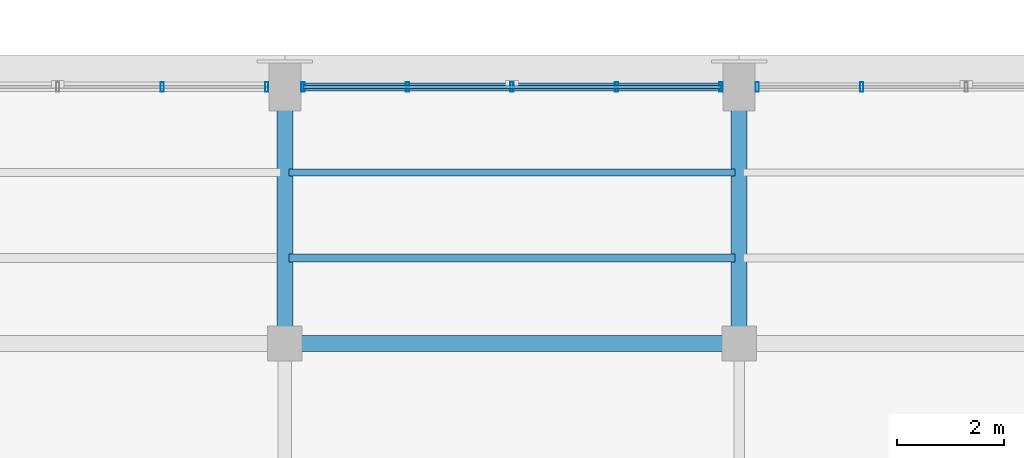
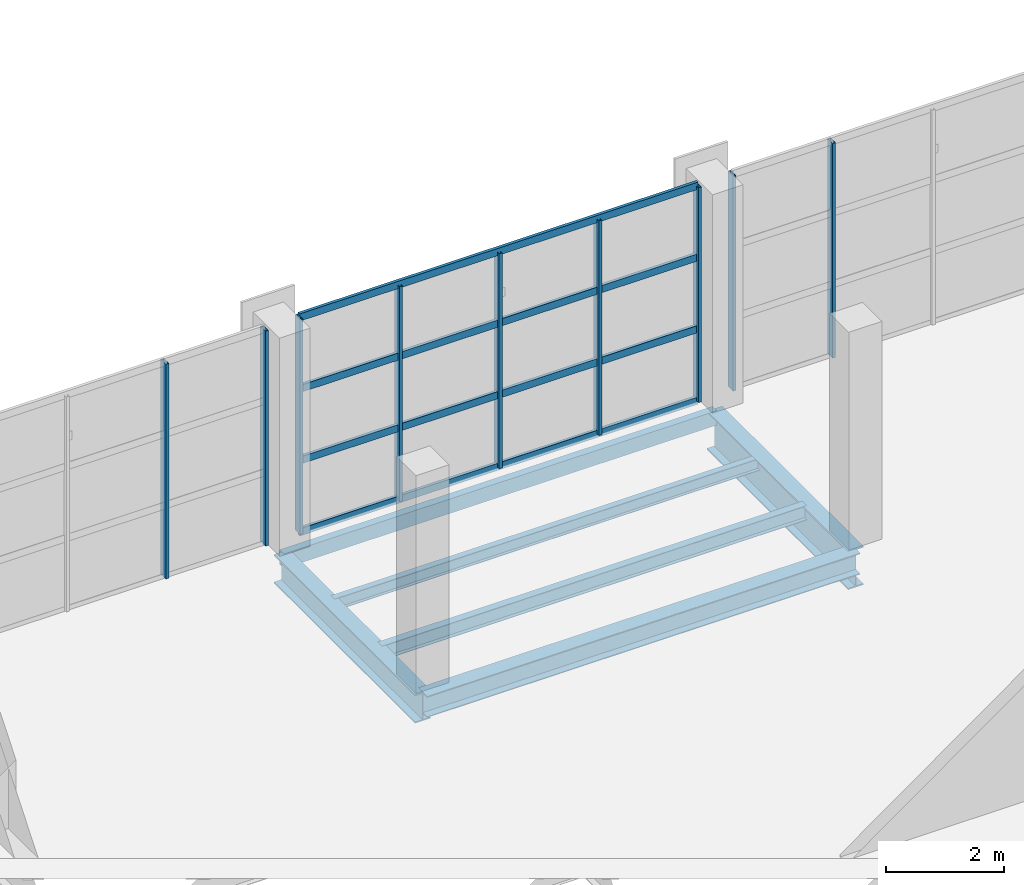
# One storey, part 28 of 86: 13 members, 6 beams, 3 elements without a shape of their own.
"""IFC4 building model written with IfcOpenShell, lengths in metres."""

from ifc_helpers import new_model, si_unit, direction, frame, origin, origin_2d, place, context, subcontext, project, spatial, hollow_rectangle, i_section, extrude, material, material_profile, profile_set, type_object, element, aggregate, save


model = new_model("IFC4")

# Units and contexts
model_context = context("Model", 3, precision=1e-05, world=origin(), true_north=direction((0.0, 1.0)))
body_context = subcontext(model_context, "Body", "Model", "MODEL_VIEW")
ifc_project = project(units=[si_unit("LENGTHUNIT", "METRE"), si_unit("AREAUNIT", "SQUARE_METRE"), si_unit("VOLUMEUNIT", "CUBIC_METRE"), si_unit("PLANEANGLEUNIT", "RADIAN"), si_unit("MASSUNIT", "GRAM", prefix="KILO")], contexts=[model_context])

# Site, building, storey
site_placement = place(None, origin())
site = spatial("IfcSite", under=ifc_project, at=site_placement, CompositionType="ELEMENT")
building_placement = place(site_placement, origin())
building = spatial("IfcBuilding", under=site, at=building_placement, Name="Solvikara Media Centre", CompositionType="ELEMENT")
storey_placement = place(building_placement, frame((0.0, 0.0, 15.0)))
storey = spatial("IfcBuildingStorey", under=building, at=storey_placement, Name="L03", CompositionType="ELEMENT", Elevation=15.0)

# Beams
ifc_material_1 = material(Name="Steel S355JR", Category="steel")
ifc_material_profile_1 = material_profile(ifc_material_1, i_section(OverallWidth=0.300048828125, OverallDepth=0.800048828125, WebThickness=0.013916015625, FlangeThickness=0.02587890625, at=origin_2d()), Name="WF 800x300x14x26")
ifc_profile_set_1 = profile_set([ifc_material_profile_1], Name="Steel S355JR")
beam_type_1 = type_object("IfcBeamType", Name="BM-16", PredefinedType="BEAM", material=ifc_profile_set_1)
beam_1_placement = place(storey_placement, frame((59.5, 32.0, -0.681884765625), z_axis=(0.0, 1.0, 0.0), x_axis=(-1.0, 0.0, 0.0)))
element("IfcBeam", 1, at=beam_1_placement, inside=storey, type_object=beam_type_1, Name="B-L03-Y1275", PredefinedType="BEAM", context=body_context, shape_type="SweptSolid", body=[
    extrude(i_section(OverallWidth=0.300048828125, OverallDepth=0.800048828125, WebThickness=0.013916015625, FlangeThickness=0.02587890625, at=origin_2d()), origin(), (0.0, 0.0, 1.0), 4.800048828125),
])
ifc_material_profile_2 = material_profile(ifc_material_1, i_section(OverallWidth=0.14990234375, OverallDepth=0.300048828125, WebThickness=0.006591796875, FlangeThickness=0.009033203125, at=origin_2d()), Name="WF 300x150x6.5x9")
ifc_profile_set_2 = profile_set([ifc_material_profile_2], Name="Steel S355JR")
beam_type_2 = type_object("IfcBeamType", Name="BM-23", PredefinedType="JOIST", material=ifc_profile_set_2)
beam_2_placement = place(storey_placement, frame((51.077880859375, 33.60009765625, -0.431884765625), z_axis=(1.0, 0.0, 0.0), x_axis=(0.0, 1.0, 0.0)))
element("IfcBeam", 2, at=beam_2_placement, inside=storey, type_object=beam_type_2, Name="J-L03-1395", PredefinedType="JOIST", context=body_context, shape_type="SweptSolid", body=[
    extrude(i_section(OverallWidth=0.14990234375, OverallDepth=0.300048828125, WebThickness=0.006591796875, FlangeThickness=0.009033203125, at=origin_2d()), origin(), (0.0, 0.0, 1.0), 8.34423828125),
])
ifc_material_profile_3 = material_profile(ifc_material_1, i_section(OverallWidth=0.125, OverallDepth=0.25, WebThickness=0.006103515625, FlangeThickness=0.009033203125, at=origin_2d()), Name="WF 250x125x6x9")
ifc_profile_set_3 = profile_set([ifc_material_profile_3], Name="Steel S355JR")
beam_type_3 = type_object("IfcBeamType", Name="BM-24", PredefinedType="JOIST", material=ifc_profile_set_3)
beam_3_placement = place(storey_placement, frame((51.077880859375, 35.199951171875, -0.406982421875), z_axis=(1.0, 0.0, 0.0), x_axis=(0.0, 1.0, 0.0)))
element("IfcBeam", 3, at=beam_3_placement, inside=storey, type_object=beam_type_3, Name="J-L03-1396", PredefinedType="JOIST", context=body_context, shape_type="SweptSolid", body=[
    extrude(i_section(OverallWidth=0.125, OverallDepth=0.25, WebThickness=0.006103515625, FlangeThickness=0.009033203125, at=origin_2d()), origin(), (0.0, 0.0, 1.0), 8.34423828125),
])
ifc_material_profile_4 = material_profile(ifc_material_1, i_section(OverallWidth=0.300048828125, OverallDepth=0.43994140625, WebThickness=0.010986328125, FlangeThickness=0.01806640625, at=origin_2d()), Name="H 440x300x11x18")
ifc_profile_set_4 = profile_set([ifc_material_profile_4], Name="Steel S355JR")
beam_type_4 = type_object("IfcBeamType", Name="BM-28", PredefinedType="BEAM", material=ifc_profile_set_4)
beam_4_placement = place(storey_placement, frame((51.0, 32.0, -0.501953125), z_axis=(1.0, 0.0, 0.0), x_axis=(0.0, 1.0, 0.0)))
element("IfcBeam", 4, at=beam_4_placement, inside=storey, type_object=beam_type_4, Name="B-L03-X1184", PredefinedType="BEAM", context=body_context, shape_type="SweptSolid", body=[
    extrude(i_section(OverallWidth=0.300048828125, OverallDepth=0.43994140625, WebThickness=0.010986328125, FlangeThickness=0.01806640625, at=origin_2d()), origin(), (0.0, 0.0, 1.0), 8.5),
])
ifc_material_profile_5 = material_profile(ifc_material_1, hollow_rectangle(XDim=0.14990234375, YDim=0.300048828125, WallThickness=0.010009765625, at=origin_2d()), Name="RHS 300x150x10")
ifc_profile_set_5 = profile_set([ifc_material_profile_5], Name="Steel S355JR")
beam_type_5 = type_object("IfcBeamType", Name="BM-35", PredefinedType="BEAM", material=ifc_profile_set_5)
beam_5_placement = place(storey_placement, frame((51.0, 36.800048828125, -0.431884765625), z_axis=(1.0, 0.0, 0.0), x_axis=(0.0, 1.0, 0.0)))
element("IfcBeam", 5, at=beam_5_placement, inside=storey, type_object=beam_type_5, Name="B-L03-X1187", PredefinedType="BEAM", context=body_context, shape_type="SweptSolid", body=[
    extrude(hollow_rectangle(XDim=0.14990234375, YDim=0.300048828125, WallThickness=0.010009765625, at=origin_2d()), origin(), (0.0, 0.0, 1.0), 8.5),
])
ifc_material_profile_6 = material_profile(ifc_material_1, i_section(OverallWidth=0.302001953125, OverallDepth=0.593994140625, WebThickness=0.013916015625, FlangeThickness=0.02294921875, at=origin_2d()), Name="H 594x302x14x23")
ifc_profile_set_6 = profile_set([ifc_material_profile_6], Name="Steel S355JR")
beam_type_6 = type_object("IfcBeamType", Name="BM-41", PredefinedType="BEAM", material=ifc_profile_set_6)
beam_6_placement = place(storey_placement, frame((51.0, 32.0, -0.5791015625), z_axis=(0.0, 1.0, 0.0), x_axis=(-1.0, 0.0, 0.0)))
element("IfcBeam", 6, at=beam_6_placement, inside=storey, type_object=beam_type_6, Name="B-L03-Y1271", PredefinedType="BEAM", context=body_context, shape_type="SweptSolid", body=[
    extrude(i_section(OverallWidth=0.302001953125, OverallDepth=0.593994140625, WebThickness=0.013916015625, FlangeThickness=0.02294921875, at=origin_2d()), origin(), (0.0, 0.0, 1.0), 4.800048828125),
])

# Curtain wall, members
ifc_material_2 = material(Name="Anodised aluminium EN AW-6063", Category="aluminium")
curtain_wall_type = type_object("IfcCurtainWallType", Name="CW-05", PredefinedType="NOTDEFINED", material=ifc_material_2)
curtain_wall_1_placement = place(storey_placement, origin())
curtain_wall_1 = element("IfcCurtainWall", 7, at=curtain_wall_1_placement, inside=storey, type_object=curtain_wall_type, Name="CW-L03-V6N-1", PredefinedType="NOTDEFINED")
ifc_material_profile_7 = material_profile(ifc_material_2, hollow_rectangle(XDim=0.06005859375, YDim=0.179931640625, WallThickness=0.00341796875, at=origin_2d()), Name="ALU-M 60x180x3.5")
ifc_profile_set_7 = profile_set([ifc_material_profile_7], Name="Anodised aluminium EN AW-6063")
member_type_1 = type_object("IfcMemberType", Name="MF-03", PredefinedType="MULLION", material=ifc_profile_set_7)
member_1_placement = place(storey_placement, frame((48.705078125, 36.800048828125, 0.02001953125), z_axis=(0.0, 0.0, 1.0), x_axis=(1.0, 0.0, 0.0)))
member_1 = element("IfcMember", 8, at=member_1_placement, type_object=member_type_1, Name="CW-L03-V6N-1-M03", PredefinedType="MULLION", context=body_context, shape_type="SweptSolid", body=[
    extrude(hollow_rectangle(XDim=0.06005859375, YDim=0.179931640625, WallThickness=0.00341796875, at=origin_2d()), origin(), (0.0, 0.0, 1.0), 4.4599609375),
])
member_2_placement = place(storey_placement, frame((50.659912109375, 36.800048828125, 0.02001953125), z_axis=(0.0, 0.0, 1.0), x_axis=(1.0, 0.0, 0.0)))
member_2 = element("IfcMember", 9, at=member_2_placement, type_object=member_type_1, Name="CW-L03-V6N-1-M04", PredefinedType="MULLION", context=body_context, shape_type="SweptSolid", body=[
    extrude(hollow_rectangle(XDim=0.06005859375, YDim=0.179931640625, WallThickness=0.00341796875, at=origin_2d()), origin(), (0.0, 0.0, 1.0), 4.4599609375),
])
aggregate(curtain_wall_1, [member_1, member_2])

curtain_wall_2_placement = place(storey_placement, origin())
curtain_wall_2 = element("IfcCurtainWall", 10, at=curtain_wall_2_placement, inside=storey, type_object=curtain_wall_type, Name="CW-L03-V6N-2", PredefinedType="NOTDEFINED")
member_3_placement = place(storey_placement, frame((51.340087890625, 36.800048828125, 0.02001953125), z_axis=(0.0, 0.0, 1.0), x_axis=(1.0, 0.0, 0.0)))
member_3 = element("IfcMember", 11, at=member_3_placement, type_object=member_type_1, Name="CW-L03-V6N-2-M00", PredefinedType="MULLION", context=body_context, shape_type="SweptSolid", body=[
    extrude(hollow_rectangle(XDim=0.06005859375, YDim=0.179931640625, WallThickness=0.00341796875, at=origin_2d()), origin(), (0.0, 0.0, 1.0), 4.4599609375),
])
member_4_placement = place(storey_placement, frame((53.294921875, 36.800048828125, 0.02001953125), z_axis=(0.0, 0.0, 1.0), x_axis=(1.0, 0.0, 0.0)))
member_4 = element("IfcMember", 12, at=member_4_placement, type_object=member_type_1, Name="CW-L03-V6N-2-M01", PredefinedType="MULLION", context=body_context, shape_type="SweptSolid", body=[
    extrude(hollow_rectangle(XDim=0.06005859375, YDim=0.179931640625, WallThickness=0.00341796875, at=origin_2d()), origin(), (0.0, 0.0, 1.0), 4.4599609375),
])
member_5_placement = place(storey_placement, frame((55.25, 36.800048828125, 0.02001953125), z_axis=(0.0, 0.0, 1.0), x_axis=(1.0, 0.0, 0.0)))
member_5 = element("IfcMember", 13, at=member_5_placement, type_object=member_type_1, Name="CW-L03-V6N-2-M02", PredefinedType="MULLION", context=body_context, shape_type="SweptSolid", body=[
    extrude(hollow_rectangle(XDim=0.06005859375, YDim=0.179931640625, WallThickness=0.00341796875, at=origin_2d()), origin(), (0.0, 0.0, 1.0), 4.4599609375),
])
member_6_placement = place(storey_placement, frame((57.205078125, 36.800048828125, 0.02001953125), z_axis=(0.0, 0.0, 1.0), x_axis=(1.0, 0.0, 0.0)))
member_6 = element("IfcMember", 14, at=member_6_placement, type_object=member_type_1, Name="CW-L03-V6N-2-M03", PredefinedType="MULLION", context=body_context, shape_type="SweptSolid", body=[
    extrude(hollow_rectangle(XDim=0.06005859375, YDim=0.179931640625, WallThickness=0.00341796875, at=origin_2d()), origin(), (0.0, 0.0, 1.0), 4.4599609375),
])
member_7_placement = place(storey_placement, frame((59.159912109375, 36.800048828125, 0.02001953125), z_axis=(0.0, 0.0, 1.0), x_axis=(1.0, 0.0, 0.0)))
member_7 = element("IfcMember", 15, at=member_7_placement, type_object=member_type_1, Name="CW-L03-V6N-2-M04", PredefinedType="MULLION", context=body_context, shape_type="SweptSolid", body=[
    extrude(hollow_rectangle(XDim=0.06005859375, YDim=0.179931640625, WallThickness=0.00341796875, at=origin_2d()), origin(), (0.0, 0.0, 1.0), 4.4599609375),
])

curtain_wall_3_placement = place(storey_placement, origin())
curtain_wall_3 = element("IfcCurtainWall", 16, at=curtain_wall_3_placement, inside=storey, type_object=curtain_wall_type, Name="CW-L03-V6N-3", PredefinedType="NOTDEFINED")
member_8_placement = place(storey_placement, frame((59.840087890625, 36.800048828125, 0.02001953125), z_axis=(0.0, 0.0, 1.0), x_axis=(1.0, 0.0, 0.0)))
member_8 = element("IfcMember", 17, at=member_8_placement, type_object=member_type_1, Name="CW-L03-V6N-3-M00", PredefinedType="MULLION", context=body_context, shape_type="SweptSolid", body=[
    extrude(hollow_rectangle(XDim=0.06005859375, YDim=0.179931640625, WallThickness=0.00341796875, at=origin_2d()), origin(), (0.0, 0.0, 1.0), 4.4599609375),
])
member_9_placement = place(storey_placement, frame((61.794921875, 36.800048828125, 0.02001953125), z_axis=(0.0, 0.0, 1.0), x_axis=(1.0, 0.0, 0.0)))
member_9 = element("IfcMember", 18, at=member_9_placement, type_object=member_type_1, Name="CW-L03-V6N-3-M01", PredefinedType="MULLION", context=body_context, shape_type="SweptSolid", body=[
    extrude(hollow_rectangle(XDim=0.06005859375, YDim=0.179931640625, WallThickness=0.00341796875, at=origin_2d()), origin(), (0.0, 0.0, 1.0), 4.4599609375),
])
aggregate(curtain_wall_3, [member_8, member_9])

# Member
ifc_material_profile_8 = material_profile(ifc_material_2, hollow_rectangle(XDim=0.06005859375, YDim=0.14990234375, WallThickness=0.0029296875, at=origin_2d()), Name="ALU-T 60x150x3")
ifc_profile_set_8 = profile_set([ifc_material_profile_8], Name="Anodised aluminium EN AW-6063")
member_type_2 = type_object("IfcMemberType", Name="MF-09", PredefinedType="USERDEFINED", material=ifc_profile_set_8)
member_10_placement = place(storey_placement, frame((51.340087890625, 36.800048828125, 0.02001953125), z_axis=(1.0, 0.0, 0.0), x_axis=(0.0, 1.0, 0.0)))
member_10 = element("IfcMember", 19, at=member_10_placement, type_object=member_type_2, Name="CW-L03-V6N-2-T00", ObjectType="TRANSOM", PredefinedType="USERDEFINED", context=body_context, shape_type="SweptSolid", body=[
    extrude(hollow_rectangle(XDim=0.06005859375, YDim=0.14990234375, WallThickness=0.0029296875, at=origin_2d()), origin(), (0.0, 0.0, 1.0), 7.81982421875),
])

member_11_placement = place(storey_placement, frame((51.340087890625, 36.800048828125, 1.507080078125), z_axis=(1.0, 0.0, 0.0), x_axis=(0.0, 1.0, 0.0)))
member_11 = element("IfcMember", 20, at=member_11_placement, type_object=member_type_2, Name="CW-L03-V6N-2-T01", ObjectType="TRANSOM", PredefinedType="USERDEFINED", context=body_context, shape_type="SweptSolid", body=[
    extrude(hollow_rectangle(XDim=0.06005859375, YDim=0.14990234375, WallThickness=0.0029296875, at=origin_2d()), origin(), (0.0, 0.0, 1.0), 7.81982421875),
])

member_12_placement = place(storey_placement, frame((51.340087890625, 36.800048828125, 2.992919921875), z_axis=(1.0, 0.0, 0.0), x_axis=(0.0, 1.0, 0.0)))
member_12 = element("IfcMember", 21, at=member_12_placement, type_object=member_type_2, Name="CW-L03-V6N-2-T02", ObjectType="TRANSOM", PredefinedType="USERDEFINED", context=body_context, shape_type="SweptSolid", body=[
    extrude(hollow_rectangle(XDim=0.06005859375, YDim=0.14990234375, WallThickness=0.0029296875, at=origin_2d()), origin(), (0.0, 0.0, 1.0), 7.81982421875),
])

member_13_placement = place(storey_placement, frame((51.340087890625, 36.800048828125, 4.47998046875), z_axis=(1.0, 0.0, 0.0), x_axis=(0.0, 1.0, 0.0)))
member_13 = element("IfcMember", 22, at=member_13_placement, type_object=member_type_2, Name="CW-L03-V6N-2-T03", ObjectType="TRANSOM", PredefinedType="USERDEFINED", context=body_context, shape_type="SweptSolid", body=[
    extrude(hollow_rectangle(XDim=0.06005859375, YDim=0.14990234375, WallThickness=0.0029296875, at=origin_2d()), origin(), (0.0, 0.0, 1.0), 7.81982421875),
])

aggregate(curtain_wall_2, [member_3, member_4, member_5, member_6, member_7, member_10, member_11, member_12, member_13])

save(model, "model.ifc")
